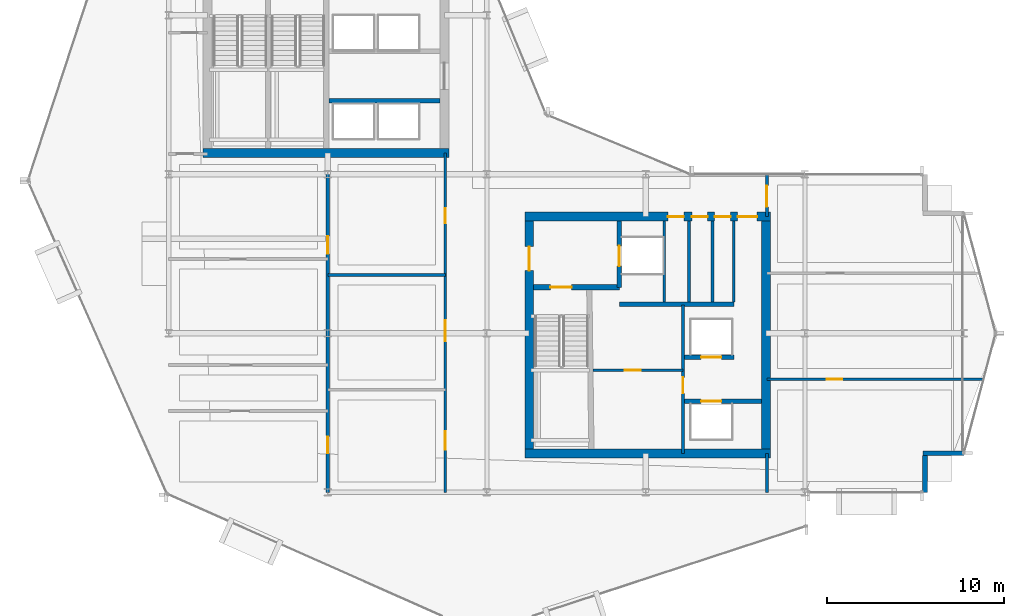
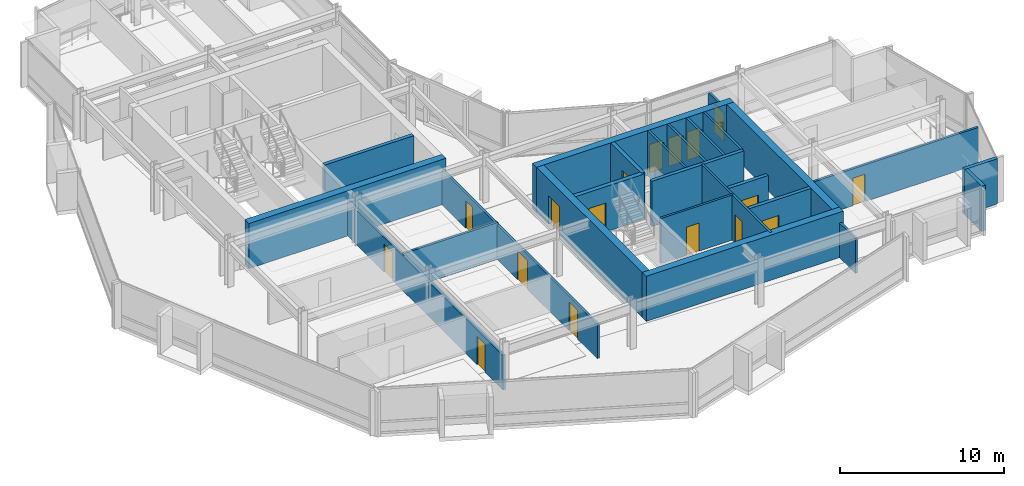
# One storey, part 22 of 29: 25 walls, 18 doors, 18 openings.
"""IFC4 building model written with IfcOpenShell, lengths in metres."""

from ifc_helpers import new_model, si_unit, direction, frame, frame_2d, origin, place, context, subcontext, project, spatial, rectangle, extrude, material, layer, layer_set, type_object, element, fill, save


model = new_model("IFC4")

# Units and contexts
model_context = context("Model", 3, precision=1e-05, world=origin(), true_north=direction((0.0, 1.0)))
body_context = subcontext(model_context, "Body", "Model", "MODEL_VIEW")
ifc_project = project(units=[si_unit("LENGTHUNIT", "METRE"), si_unit("AREAUNIT", "SQUARE_METRE"), si_unit("VOLUMEUNIT", "CUBIC_METRE"), si_unit("PLANEANGLEUNIT", "RADIAN"), si_unit("MASSUNIT", "GRAM", prefix="KILO")], contexts=[model_context])

# Site, building, storey
site_placement = place(None, origin())
site = spatial("IfcSite", under=ifc_project, at=site_placement, CompositionType="ELEMENT")
building_placement = place(site_placement, origin())
building = spatial("IfcBuilding", under=site, at=building_placement, Name="Solvaryn Broadcast Tower", CompositionType="ELEMENT")
storey_placement = place(building_placement, frame((0.0, 0.0, 165.5)))
storey = spatial("IfcBuildingStorey", under=building, at=storey_placement, Name="L41", CompositionType="ELEMENT", Elevation=165.5)

# Walls
ifc_material_1 = material(Name="Concrete f'c 70 MPa", Category="concrete")
ifc_layer_1 = layer(ifc_material_1, 0.5)
ifc_layer_set_1 = layer_set([ifc_layer_1], Name="CW-SHEAR-500")
wall_type_1 = type_object("IfcWallType", Name="CW-SHEAR-500", PredefinedType="SHEAR", material=ifc_layer_set_1)
for number, where, z_axis, x_axis, name in (
    (1, (10.949951171875, 28.199951171875, 0.0), (0.0, 0.0, 1.0), (1.0, 0.0, 0.0), "L41 West Core South Shear Wall"),
    (2, (29.14990234375, 11.199951171875, 0.0), (0.0, 0.0, 1.0), (1.0, 0.0, 0.0), "L41 East Core South Shear Wall"),
):
    element("IfcWall", number, at=place(storey_placement, frame(where, z_axis=z_axis, x_axis=x_axis)), inside=storey, type_object=wall_type_1, Name=name, PredefinedType="SHEAR", context=body_context, shape_type="SweptSolid", body=[
        extrude(rectangle(XDim=13.900146484375, YDim=0.5, at=frame_2d((6.9501953125, 0.0))), origin(), (0.0, 0.0, 1.0), 3.3701171875),
    ])

# Wall, openings, doors
wall_1_placement = place(storey_placement, frame((43.050048828125, 24.60009765625, 0.0), z_axis=(0.0, 0.0, 1.0), x_axis=(-1.0, 0.0, 0.0)))
wall_1 = element("IfcWall", 3, at=wall_1_placement, inside=storey, type_object=wall_type_1, Name="L41 East Core North Shear Wall", PredefinedType="SHEAR", context=body_context, shape_type="SweptSolid", body=[
    extrude(rectangle(XDim=13.900146484375, YDim=0.5, at=frame_2d((6.9501953125, 0.0))), origin(), (0.0, 0.0, 1.0), 3.3701171875),
])
opening_1_placement = place(wall_1_placement, frame((0.75, 0.0, 0.0)))
opening_1 = element("IfcOpeningElement", 4, at=opening_1_placement, cuts=wall_1, Name="Opening FD90C", PredefinedType="OPENING", context=body_context, shape_type="SweptSolid", body=[
    extrude(rectangle(XDim=1.10009765625, YDim=2.14990234375, at=frame_2d((0.550048828125, 1.074951171875))), frame((0.0, 0.260009765625, 0.0), z_axis=(0.0, -1.0, 0.0), x_axis=(1.0, 0.0, 0.0)), (0.0, 0.0, 1.0), 0.52001953125),
])
opening_2_placement = place(wall_1_placement, frame((2.25, 0.0, 0.0)))
opening_2 = element("IfcOpeningElement", 5, at=opening_2_placement, cuts=wall_1, Name="Opening FD60C", PredefinedType="OPENING", context=body_context, shape_type="SweptSolid", body=[
    extrude(rectangle(XDim=0.89990234375, YDim=2.10009765625, at=frame_2d((0.449951171875, 1.050048828125))), frame((0.0, 0.260009765625, 0.0), z_axis=(0.0, -1.0, 0.0), x_axis=(1.0, 0.0, 0.0)), (0.0, 0.0, 1.0), 0.52001953125),
])
opening_3_placement = place(wall_1_placement, frame((3.550048828125, 0.0, 0.0)))
opening_3 = element("IfcOpeningElement", 6, at=opening_3_placement, cuts=wall_1, Name="Opening FD60C", PredefinedType="OPENING", context=body_context, shape_type="SweptSolid", body=[
    extrude(rectangle(XDim=0.89990234375, YDim=2.10009765625, at=frame_2d((0.449951171875, 1.050048828125))), frame((0.0, 0.260009765625, 0.0), z_axis=(0.0, -1.0, 0.0), x_axis=(1.0, 0.0, 0.0)), (0.0, 0.0, 1.0), 0.52001953125),
])
opening_4_placement = place(wall_1_placement, frame((4.89990234375, 0.0, 0.0)))
opening_4 = element("IfcOpeningElement", 7, at=opening_4_placement, cuts=wall_1, Name="Opening FD60C", PredefinedType="OPENING", context=body_context, shape_type="SweptSolid", body=[
    extrude(rectangle(XDim=0.89990234375, YDim=2.10009765625, at=frame_2d((0.449951171875, 1.050048828125))), frame((0.0, 0.260009765625, 0.0), z_axis=(0.0, -1.0, 0.0), x_axis=(1.0, 0.0, 0.0)), (0.0, 0.0, 1.0), 0.52001953125),
])
ifc_material_2 = material(Name="Flush Acoustic Steel and Timber Door Assembly", Category="steel")
door_type_1 = type_object("IfcDoorType", Name="FD60-SERV-900X2100", OperationType="NOTDEFINED", PredefinedType="DOOR", material=ifc_material_2)
door_1_placement = place(opening_2_placement, origin())
door_1 = element("IfcDoor", 8, at=door_1_placement, inside=storey, type_object=door_type_1, Name="L41 Core Wellness Room Door", OperationType="SINGLE_SWING_RIGHT", OverallHeight=2.10009765625, OverallWidth=0.89990234375, PredefinedType="DOOR", context=body_context, shape_type="SweptSolid", body=[
    extrude(rectangle(XDim=0.89990234375, YDim=2.10009765625, at=frame_2d((0.449951171875, 1.050048828125))), frame((0.0, 0.02490234375, 0.0), z_axis=(0.0, -1.0, 0.0), x_axis=(1.0, 0.0, 0.0)), (0.0, 0.0, 1.0), 0.050048828125),
])
fill(opening_2, door_1)
door_2_placement = place(opening_3_placement, origin())
door_2 = element("IfcDoor", 9, at=door_2_placement, inside=storey, type_object=door_type_1, Name="L41 Staff Restroom Door", OperationType="SINGLE_SWING_LEFT", OverallHeight=2.10009765625, OverallWidth=0.89990234375, PredefinedType="DOOR", context=body_context, shape_type="SweptSolid", body=[
    extrude(rectangle(XDim=0.89990234375, YDim=2.10009765625, at=frame_2d((0.449951171875, 1.050048828125))), frame((0.0, 0.02490234375, 0.0), z_axis=(0.0, -1.0, 0.0), x_axis=(1.0, 0.0, 0.0)), (0.0, 0.0, 1.0), 0.050048828125),
])
fill(opening_3, door_2)
door_3_placement = place(opening_4_placement, origin())
door_3 = element("IfcDoor", 10, at=door_3_placement, inside=storey, type_object=door_type_1, Name="L41 Accessible WC Door", OperationType="SINGLE_SWING_RIGHT", OverallHeight=2.10009765625, OverallWidth=0.89990234375, PredefinedType="DOOR", context=body_context, shape_type="SweptSolid", body=[
    extrude(rectangle(XDim=0.89990234375, YDim=2.10009765625, at=frame_2d((0.449951171875, 1.050048828125))), frame((0.0, 0.02490234375, 0.0), z_axis=(0.0, -1.0, 0.0), x_axis=(1.0, 0.0, 0.0)), (0.0, 0.0, 1.0), 0.050048828125),
])
fill(opening_4, door_3)
ifc_material_3 = material(Name="Flush Acoustic Steel and Timber Door Assembly", Category="steel")
door_type_2 = type_object("IfcDoorType", Name="FD90-PLANT-1100X2150", OperationType="NOTDEFINED", PredefinedType="DOOR", material=ifc_material_3)
door_4_placement = place(opening_1_placement, origin())
door_4 = element("IfcDoor", 11, at=door_4_placement, inside=storey, type_object=door_type_2, Name="L41 East Core Lobby Corridor Door", OperationType="SINGLE_SWING_LEFT", OverallHeight=2.14990234375, OverallWidth=1.10009765625, PredefinedType="DOOR", context=body_context, shape_type="SweptSolid", body=[
    extrude(rectangle(XDim=1.10009765625, YDim=2.14990234375, at=frame_2d((0.550048828125, 1.074951171875))), frame((0.0, 0.02490234375, 0.0), z_axis=(0.0, -1.0, 0.0), x_axis=(1.0, 0.0, 0.0)), (0.0, 0.0, 1.0), 0.050048828125),
])
fill(opening_1, door_4)

# Wall, opening, door
wall_2_placement = place(storey_placement, frame((29.39990234375, 24.35009765625, 0.0), z_axis=(0.0, 0.0, 1.0), x_axis=(0.0, -1.0, 0.0)))
wall_2 = element("IfcWall", 12, at=wall_2_placement, inside=storey, type_object=wall_type_1, Name="L41 East Core West Shear Wall", PredefinedType="SHEAR", context=body_context, shape_type="SweptSolid", body=[
    extrude(rectangle(XDim=12.900146484375, YDim=0.5, at=frame_2d((6.4501953125, 0.0))), origin(), (0.0, 0.0, 1.0), 3.3701171875),
])
opening_5_placement = place(wall_2_placement, frame((1.449951171875, 0.0, 0.0)))
opening_5 = element("IfcOpeningElement", 13, at=opening_5_placement, cuts=wall_2, Name="Opening FD90B", PredefinedType="OPENING", context=body_context, shape_type="SweptSolid", body=[
    extrude(rectangle(XDim=1.35009765625, YDim=2.14990234375, at=frame_2d((0.675048828125, 1.074951171875))), frame((0.0, 0.260009765625, 0.0), z_axis=(0.0, -1.0, 0.0), x_axis=(1.0, 0.0, 0.0)), (0.0, 0.0, 1.0), 0.52001953125),
])
ifc_material_4 = material(Name="Flush Acoustic Steel and Timber Door Assembly", Category="steel")
door_type_3 = type_object("IfcDoorType", Name="FD90-LOBBY-1350X2150", OperationType="NOTDEFINED", PredefinedType="DOOR", material=ifc_material_4)
door_5_placement = place(opening_5_placement, origin())
door_5 = element("IfcDoor", 14, at=door_5_placement, inside=storey, type_object=door_type_3, Name="L41 East FSAE Lobby Door", OperationType="SINGLE_SWING_RIGHT", OverallHeight=2.14990234375, OverallWidth=1.35009765625, PredefinedType="DOOR", context=body_context, shape_type="SweptSolid", body=[
    extrude(rectangle(XDim=1.35009765625, YDim=2.14990234375, at=frame_2d((0.675048828125, 1.074951171875))), frame((0.0, 0.02490234375, 0.0), z_axis=(0.0, -1.0, 0.0), x_axis=(1.0, 0.0, 0.0)), (0.0, 0.0, 1.0), 0.050048828125),
])
fill(opening_5, door_5)

# Walls
wall_3_placement = place(storey_placement, frame((42.800048828125, 11.449951171875, 0.0), z_axis=(0.0, 0.0, 1.0), x_axis=(0.0, 1.0, 0.0)))
element("IfcWall", 15, at=wall_3_placement, inside=storey, type_object=wall_type_1, Name="L41 East Core East Shear Wall", PredefinedType="SHEAR", context=body_context, shape_type="SweptSolid", body=[
    extrude(rectangle(XDim=12.900146484375, YDim=0.5, at=frame_2d((6.4501953125, 0.0))), origin(), (0.0, 0.0, 1.0), 3.3701171875),
])
ifc_material_5 = material(Name="Concrete f'c 50 MPa", Category="concrete")
ifc_layer_2 = layer(ifc_material_5, 0.260009765625)
ifc_layer_set_2 = layer_set([ifc_layer_2], Name="EW-PIER-260")
wall_type_2 = type_object("IfcWallType", Name="EW-PIER-260", PredefinedType="SOLIDWALL", material=ifc_layer_set_2)
wall_4_placement = place(storey_placement, frame((51.800048828125, 9.0, 0.0), z_axis=(0.0, 0.0, 1.0), x_axis=(0.0, 1.0, 0.0)))
element("IfcWall", 16, at=wall_4_placement, inside=storey, type_object=wall_type_2, Name="L41 Notched Corner Pier Wall NSE1", PredefinedType="SOLIDWALL", context=body_context, shape_type="SweptSolid", body=[
    extrude(rectangle(XDim=2.080078125, YDim=0.260009765625, at=frame_2d((1.0400390625, 0.0))), origin(), (0.0, 0.0, 1.0), 3.3701171875),
])
wall_5_placement = place(storey_placement, frame((51.679931640625, 11.199951171875, 0.0), z_axis=(0.0, 0.0, 1.0), x_axis=(1.0, 0.0, 0.0)))
element("IfcWall", 17, at=wall_5_placement, inside=storey, type_object=wall_type_2, Name="L41 Notched Corner Pier Wall NSE2", PredefinedType="SOLIDWALL", context=body_context, shape_type="SweptSolid", body=[
    extrude(rectangle(XDim=2.320068359375, YDim=0.260009765625, at=frame_2d((1.16015625, 0.0))), origin(), (0.0, 0.0, 1.0), 3.3701171875),
])

# Wall, opening, door
ifc_material_6 = material(Name="Metal-Stud Service Core Partition")
ifc_layer_3 = layer(ifc_material_6, 0.14990234375)
ifc_layer_set_3 = layer_set([ifc_layer_3], Name="IW-PART-150")
wall_type_3 = type_object("IfcWallType", Name="IW-PART-150", PredefinedType="PARTITIONING", material=ifc_layer_set_3)
wall_6_placement = place(storey_placement, frame((33.0, 15.89990234375, 0.0), z_axis=(0.0, 0.0, 1.0), x_axis=(1.0, 0.0, 0.0)))
wall_6 = element("IfcWall", 18, at=wall_6_placement, inside=storey, type_object=wall_type_3, Name="L41 Interior Partition IW-L41-RPL-H", PredefinedType="PARTITIONING", context=body_context, shape_type="SweptSolid", body=[
    extrude(rectangle(XDim=5.10009765625, YDim=0.14990234375, at=frame_2d((2.550048828125, 0.0))), origin(), (0.0, 0.0, 1.0), 3.3701171875),
])
opening_6_placement = place(wall_6_placement, frame((1.800048828125, 0.0, 0.0)))
opening_6 = element("IfcOpeningElement", 19, at=opening_6_placement, cuts=wall_6, Name="Opening FD60C", PredefinedType="OPENING", context=body_context, shape_type="SweptSolid", body=[
    extrude(rectangle(XDim=0.89990234375, YDim=2.10009765625, at=frame_2d((0.449951171875, 1.050048828125))), frame((0.0, 0.0849609375, 0.0), z_axis=(0.0, -1.0, 0.0), x_axis=(1.0, 0.0, 0.0)), (0.0, 0.0, 1.0), 0.169921875),
])
door_6_placement = place(opening_6_placement, origin())
door_6 = element("IfcDoor", 20, at=door_6_placement, inside=storey, type_object=door_type_1, Name="L41 Door DR-L41-RPL1", OperationType="SINGLE_SWING_LEFT", OverallHeight=2.10009765625, OverallWidth=0.89990234375, PredefinedType="DOOR", context=body_context, shape_type="SweptSolid", body=[
    extrude(rectangle(XDim=0.89990234375, YDim=2.10009765625, at=frame_2d((0.449951171875, 1.050048828125))), frame((0.0, 0.02490234375, 0.0), z_axis=(0.0, -1.0, 0.0), x_axis=(1.0, 0.0, 0.0)), (0.0, 0.0, 1.0), 0.050048828125),
])
fill(opening_6, door_6)

wall_7_placement = place(storey_placement, frame((38.10009765625, 11.199951171875, 0.0), z_axis=(0.0, 0.0, 1.0), x_axis=(0.0, 1.0, 0.0)))
wall_7 = element("IfcWall", 21, at=wall_7_placement, inside=storey, type_object=wall_type_3, Name="L41 Interior Partition IW-L41-RPL-E", PredefinedType="PARTITIONING", context=body_context, shape_type="SweptSolid", body=[
    extrude(rectangle(XDim=8.400146484375, YDim=0.14990234375, at=frame_2d((4.2001953125, 0.0))), origin(), (0.0, 0.0, 1.0), 3.3701171875),
])
opening_7_placement = place(wall_7_placement, frame((3.39990234375, 0.0, 0.0)))
opening_7 = element("IfcOpeningElement", 22, at=opening_7_placement, cuts=wall_7, Name="Opening FD60C", PredefinedType="OPENING", context=body_context, shape_type="SweptSolid", body=[
    extrude(rectangle(XDim=0.89990234375, YDim=2.10009765625, at=frame_2d((0.449951171875, 1.050048828125))), frame((0.0, 0.0849609375, 0.0), z_axis=(0.0, -1.0, 0.0), x_axis=(1.0, 0.0, 0.0)), (0.0, 0.0, 1.0), 0.169921875),
])
door_7_placement = place(opening_7_placement, origin())
door_7 = element("IfcDoor", 23, at=door_7_placement, inside=storey, type_object=door_type_1, Name="L41 Door DR-L41-RPL2", OperationType="SINGLE_SWING_RIGHT", OverallHeight=2.10009765625, OverallWidth=0.89990234375, PredefinedType="DOOR", context=body_context, shape_type="SweptSolid", body=[
    extrude(rectangle(XDim=0.89990234375, YDim=2.10009765625, at=frame_2d((0.449951171875, 1.050048828125))), frame((0.0, 0.02490234375, 0.0), z_axis=(0.0, -1.0, 0.0), x_axis=(1.0, 0.0, 0.0)), (0.0, 0.0, 1.0), 0.050048828125),
])
fill(opening_7, door_7)

# Walls
for number, where, z_axis, x_axis, name in (
    (24, (37.050048828125, 19.780029296875, 0.0), (0.0, 0.0, 1.0), (0.0, 1.0, 0.0), "L41 Interior Partition IW-L41-CE-FL2E"),
    (25, (38.43994140625, 19.780029296875, 0.0), (0.0, 0.0, 1.0), (0.0, 1.0, 0.0), "L41 Interior Partition IW-L41-CE-V1"),
    (26, (39.77001953125, 19.780029296875, 0.0), (0.0, 0.0, 1.0), (0.0, 1.0, 0.0), "L41 Interior Partition IW-L41-CE-V2"),
    (27, (40.97998046875, 19.780029296875, 0.0), (0.0, 0.0, 1.0), (0.0, 1.0, 0.0), "L41 Interior Partition IW-L41-CE-V3"),
):
    element("IfcWall", number, at=place(storey_placement, frame(where, z_axis=z_axis, x_axis=x_axis)), inside=storey, type_object=wall_type_3, Name=name, PredefinedType="PARTITIONING", context=body_context, shape_type="SweptSolid", body=[
        extrude(rectangle(XDim=4.570068359375, YDim=0.14990234375, at=frame_2d((2.28515625, 0.0))), origin(), (0.0, 0.0, 1.0), 3.3701171875),
    ])

# Wall, openings, doors
ifc_material_7 = material(Name="Metal-Stud Gypsum Office Partition")
ifc_layer_4 = layer(ifc_material_7, 0.159912109375)
ifc_layer_set_4 = layer_set([ifc_layer_4], Name="IW-PART-160")
wall_type_4 = type_object("IfcWallType", Name="IW-PART-160", PredefinedType="PARTITIONING", material=ifc_layer_set_4)
wall_8_placement = place(storey_placement, frame((24.64990234375, 9.0, 0.0), z_axis=(0.0, 0.0, 1.0), x_axis=(0.0, 1.0, 0.0)))
wall_8 = element("IfcWall", 28, at=wall_8_placement, inside=storey, type_object=wall_type_4, Name="L41 Interior Partition IW-L41-SW-EB", PredefinedType="PARTITIONING", context=body_context, shape_type="SweptSolid", body=[
    extrude(rectangle(XDim=19.199951171875, YDim=0.159912109375, at=frame_2d((9.60009765625, 0.0))), origin(), (0.0, 0.0, 1.0), 2.583984375),
])
opening_8_placement = place(wall_8_placement, frame((2.39990234375, 0.0, 0.0)))
opening_8 = element("IfcOpeningElement", 29, at=opening_8_placement, cuts=wall_8, Name="Opening ID03", PredefinedType="OPENING", context=body_context, shape_type="SweptSolid", body=[
    extrude(rectangle(XDim=1.050048828125, YDim=2.14990234375, at=frame_2d((0.52490234375, 1.074951171875))), frame((0.0, 0.090087890625, 0.0), z_axis=(0.0, -1.0, 0.0), x_axis=(1.0, 0.0, 0.0)), (0.0, 0.0, 1.0), 0.179931640625),
])
opening_9_placement = place(wall_8_placement, frame((8.550048828125, 0.0, 0.0)))
opening_9 = element("IfcOpeningElement", 30, at=opening_9_placement, cuts=wall_8, Name="Opening ID04", PredefinedType="OPENING", context=body_context, shape_type="SweptSolid", body=[
    extrude(rectangle(XDim=1.199951171875, YDim=2.14990234375, at=frame_2d((0.60009765625, 1.074951171875))), frame((0.0, 0.090087890625, 0.0), z_axis=(0.0, -1.0, 0.0), x_axis=(1.0, 0.0, 0.0)), (0.0, 0.0, 1.0), 0.179931640625),
])
opening_10_placement = place(wall_8_placement, frame((15.215087890625, 0.0, 0.0)))
opening_10 = element("IfcOpeningElement", 31, at=opening_10_placement, cuts=wall_8, Name="Opening ID07", PredefinedType="OPENING", context=body_context, shape_type="SweptSolid", body=[
    extrude(rectangle(XDim=0.860107421875, YDim=2.050048828125, at=frame_2d((0.43017578125, 1.02490234375))), frame((0.0, 0.090087890625, 0.0), z_axis=(0.0, -1.0, 0.0), x_axis=(1.0, 0.0, 0.0)), (0.0, 0.0, 1.0), 0.179931640625),
])
ifc_material_8 = material(Name="Flush Acoustic Steel and Timber Door Assembly", Category="steel")
door_type_4 = type_object("IfcDoorType", Name="ID-03-1050X2150", OperationType="NOTDEFINED", PredefinedType="DOOR", material=ifc_material_8)
door_8_placement = place(opening_8_placement, origin())
door_8 = element("IfcDoor", 32, at=door_8_placement, inside=storey, type_object=door_type_4, Name="L41 Door DR-L41-SWE-1", OperationType="SINGLE_SWING_RIGHT", OverallHeight=2.14990234375, OverallWidth=1.050048828125, PredefinedType="DOOR", context=body_context, shape_type="SweptSolid", body=[
    extrude(rectangle(XDim=1.050048828125, YDim=2.14990234375, at=frame_2d((0.52490234375, 1.074951171875))), frame((0.0, 0.02490234375, 0.0), z_axis=(0.0, -1.0, 0.0), x_axis=(1.0, 0.0, 0.0)), (0.0, 0.0, 1.0), 0.050048828125),
])
fill(opening_8, door_8)
ifc_material_9 = material(Name="Flush Acoustic Steel and Timber Door Assembly", Category="steel")
door_type_5 = type_object("IfcDoorType", Name="ID-04-1200X2150", OperationType="NOTDEFINED", PredefinedType="DOOR", material=ifc_material_9)
door_9_placement = place(opening_9_placement, origin())
door_9 = element("IfcDoor", 33, at=door_9_placement, inside=storey, type_object=door_type_5, Name="L41 Door DR-L41-SWE-2", OperationType="SINGLE_SWING_LEFT", OverallHeight=2.14990234375, OverallWidth=1.199951171875, PredefinedType="DOOR", context=body_context, shape_type="SweptSolid", body=[
    extrude(rectangle(XDim=1.199951171875, YDim=2.14990234375, at=frame_2d((0.60009765625, 1.074951171875))), frame((0.0, 0.02490234375, 0.0), z_axis=(0.0, -1.0, 0.0), x_axis=(1.0, 0.0, 0.0)), (0.0, 0.0, 1.0), 0.050048828125),
])
fill(opening_9, door_9)
ifc_material_10 = material(Name="Flush Acoustic Steel and Timber Door Assembly", Category="steel")
door_type_6 = type_object("IfcDoorType", Name="ID-07-860X2050", OperationType="NOTDEFINED", PredefinedType="DOOR", material=ifc_material_10)
door_10_placement = place(opening_10_placement, origin())
door_10 = element("IfcDoor", 34, at=door_10_placement, inside=storey, type_object=door_type_6, Name="L41 Door DR-L41-SWE-3", OperationType="SINGLE_SWING_RIGHT", OverallHeight=2.050048828125, OverallWidth=0.860107421875, PredefinedType="DOOR", context=body_context, shape_type="SweptSolid", body=[
    extrude(rectangle(XDim=0.860107421875, YDim=2.050048828125, at=frame_2d((0.43017578125, 1.02490234375))), frame((0.0, 0.02490234375, 0.0), z_axis=(0.0, -1.0, 0.0), x_axis=(1.0, 0.0, 0.0)), (0.0, 0.0, 1.0), 0.050048828125),
])
fill(opening_10, door_10)

# Walls
wall_9_placement = place(storey_placement, frame((18.0, 21.300048828125, 0.0), z_axis=(0.0, 0.0, 1.0), x_axis=(1.0, 0.0, 0.0)))
element("IfcWall", 35, at=wall_9_placement, inside=storey, type_object=wall_type_4, Name="L41 Interior Partition IW-L41-SWE-H2", PredefinedType="PARTITIONING", context=body_context, shape_type="SweptSolid", body=[
    extrude(rectangle(XDim=6.64990234375, YDim=0.159912109375, at=frame_2d((3.324951171875, 0.0))), origin(), (0.0, 0.0, 1.0), 2.741943359375),
])
wall_10_placement = place(storey_placement, frame((42.85009765625, 9.0, 0.0), z_axis=(0.0, 0.0, 1.0), x_axis=(0.0, 1.0, 0.0)))
element("IfcWall", 36, at=wall_10_placement, inside=storey, type_object=wall_type_4, Name="L41 Interior Partition IW-L41-SC-E", PredefinedType="PARTITIONING", context=body_context, shape_type="SweptSolid", body=[
    extrude(rectangle(XDim=2.199951171875, YDim=0.159912109375, at=frame_2d((1.10009765625, 0.0))), origin(), (0.0, 0.0, 1.0), 2.583984375),
])

# Wall, opening, door
wall_11_placement = place(storey_placement, frame((42.85009765625, 24.60009765625, 0.0), z_axis=(0.0, 0.0, 1.0), x_axis=(0.0, 1.0, 0.0)))
wall_11 = element("IfcWall", 37, at=wall_11_placement, inside=storey, type_object=wall_type_4, Name="L41 Interior Partition IW-L41-EW-BN", PredefinedType="PARTITIONING", context=body_context, shape_type="SweptSolid", body=[
    extrude(rectangle(XDim=2.39990234375, YDim=0.159912109375, at=frame_2d((1.199951171875, 0.0))), origin(), (0.0, 0.0, 1.0), 2.583984375),
])
opening_11_placement = place(wall_11_placement, frame((0.550048828125, 0.0, 0.0)))
opening_11 = element("IfcOpeningElement", 38, at=opening_11_placement, cuts=wall_11, Name="Opening ID04", PredefinedType="OPENING", context=body_context, shape_type="SweptSolid", body=[
    extrude(rectangle(XDim=1.199951171875, YDim=2.14990234375, at=frame_2d((0.60009765625, 1.074951171875))), frame((0.0, 0.090087890625, 0.0), z_axis=(0.0, -1.0, 0.0), x_axis=(1.0, 0.0, 0.0)), (0.0, 0.0, 1.0), 0.179931640625),
])
door_11_placement = place(opening_11_placement, origin())
door_11 = element("IfcDoor", 39, at=door_11_placement, inside=storey, type_object=door_type_5, Name="L41 Door DR-L41-EW0", OperationType="SINGLE_SWING_LEFT", OverallHeight=2.14990234375, OverallWidth=1.199951171875, PredefinedType="DOOR", context=body_context, shape_type="SweptSolid", body=[
    extrude(rectangle(XDim=1.199951171875, YDim=2.14990234375, at=frame_2d((0.60009765625, 1.074951171875))), frame((0.0, 0.02490234375, 0.0), z_axis=(0.0, -1.0, 0.0), x_axis=(1.0, 0.0, 0.0)), (0.0, 0.0, 1.0), 0.050048828125),
])
fill(opening_11, door_11)

wall_12_placement = place(storey_placement, frame((42.85009765625, 15.39990234375, 0.0), z_axis=(0.0, 0.0, 1.0), x_axis=(1.0, 0.0, 0.0)))
wall_12 = element("IfcWall", 40, at=wall_12_placement, inside=storey, type_object=wall_type_4, Name="L41 Interior Partition IW-L41-EW-H1", PredefinedType="PARTITIONING", context=body_context, shape_type="SweptSolid", body=[
    extrude(rectangle(XDim=12.261962890625, YDim=0.159912109375, at=frame_2d((6.130859375, 0.0))), origin(), (0.0, 0.0, 1.0), 2.741943359375),
])
opening_12_placement = place(wall_12_placement, frame((3.39990234375, 0.0, 0.0)))
opening_12 = element("IfcOpeningElement", 41, at=opening_12_placement, cuts=wall_12, Name="Opening ID07", PredefinedType="OPENING", context=body_context, shape_type="SweptSolid", body=[
    extrude(rectangle(XDim=0.860107421875, YDim=2.050048828125, at=frame_2d((0.43017578125, 1.02490234375))), frame((0.0, 0.090087890625, 0.0), z_axis=(0.0, -1.0, 0.0), x_axis=(1.0, 0.0, 0.0)), (0.0, 0.0, 1.0), 0.179931640625),
])
door_12_placement = place(opening_12_placement, origin())
door_12 = element("IfcDoor", 42, at=door_12_placement, inside=storey, type_object=door_type_6, Name="L41 Door DR-L41-EW-1", OperationType="SINGLE_SWING_RIGHT", OverallHeight=2.050048828125, OverallWidth=0.860107421875, PredefinedType="DOOR", context=body_context, shape_type="SweptSolid", body=[
    extrude(rectangle(XDim=0.860107421875, YDim=2.050048828125, at=frame_2d((0.43017578125, 1.02490234375))), frame((0.0, 0.02490234375, 0.0), z_axis=(0.0, -1.0, 0.0), x_axis=(1.0, 0.0, 0.0)), (0.0, 0.0, 1.0), 0.050048828125),
])
fill(opening_12, door_12)

# Wall, openings, doors
ifc_material_11 = material(Name="Acoustic Metal-Stud Gypsum Partition")
ifc_layer_5 = layer(ifc_material_11, 0.179931640625)
ifc_layer_set_5 = layer_set([ifc_layer_5], Name="IW-PART-180")
wall_type_5 = type_object("IfcWallType", Name="IW-PART-180", PredefinedType="PARTITIONING", material=ifc_layer_set_5)
wall_13_placement = place(storey_placement, frame((18.0, 9.0, 0.0), z_axis=(0.0, 0.0, 1.0), x_axis=(0.0, 1.0, 0.0)))
wall_13 = element("IfcWall", 43, at=wall_13_placement, inside=storey, type_object=wall_type_5, Name="L41 Interior Partition IW-L41-SW-VX", PredefinedType="PARTITIONING", context=body_context, shape_type="SweptSolid", body=[
    extrude(rectangle(XDim=19.1298828125, YDim=0.179931640625, at=frame_2d((9.56494140625, 0.0))), origin(), (0.0, 0.0, 1.0), 2.583984375),
])
opening_13_placement = place(wall_13_placement, frame((2.199951171875, 0.0, 0.0)))
opening_13 = element("IfcOpeningElement", 44, at=opening_13_placement, cuts=wall_13, Name="Opening ID01", PredefinedType="OPENING", context=body_context, shape_type="SweptSolid", body=[
    extrude(rectangle(XDim=0.949951171875, YDim=2.10009765625, at=frame_2d((0.47509765625, 1.050048828125))), frame((0.0, 0.099853515625, 0.0), z_axis=(0.0, -1.0, 0.0), x_axis=(1.0, 0.0, 0.0)), (0.0, 0.0, 1.0), 0.199951171875),
])
opening_14_placement = place(wall_13_placement, frame((13.5, 0.0, 0.0)))
opening_14 = element("IfcOpeningElement", 45, at=opening_14_placement, cuts=wall_13, Name="Opening ID02", PredefinedType="OPENING", context=body_context, shape_type="SweptSolid", body=[
    extrude(rectangle(XDim=1.0, YDim=2.10009765625, at=frame_2d((0.5, 1.050048828125))), frame((0.0, 0.099853515625, 0.0), z_axis=(0.0, -1.0, 0.0), x_axis=(1.0, 0.0, 0.0)), (0.0, 0.0, 1.0), 0.199951171875),
])
ifc_material_12 = material(Name="Flush Acoustic Steel and Timber Door Assembly", Category="steel")
door_type_7 = type_object("IfcDoorType", Name="ID-01-950X2100", OperationType="NOTDEFINED", PredefinedType="DOOR", material=ifc_material_12)
door_13_placement = place(opening_13_placement, origin())
door_13 = element("IfcDoor", 46, at=door_13_placement, inside=storey, type_object=door_type_7, Name="L41 Door DR-L41-SWW-X1", OperationType="SINGLE_SWING_LEFT", OverallHeight=2.10009765625, OverallWidth=0.949951171875, PredefinedType="DOOR", context=body_context, shape_type="SweptSolid", body=[
    extrude(rectangle(XDim=0.949951171875, YDim=2.10009765625, at=frame_2d((0.47509765625, 1.050048828125))), frame((0.0, 0.02490234375, 0.0), z_axis=(0.0, -1.0, 0.0), x_axis=(1.0, 0.0, 0.0)), (0.0, 0.0, 1.0), 0.050048828125),
])
fill(opening_13, door_13)
ifc_material_13 = material(Name="Flush Acoustic Steel and Timber Door Assembly", Category="steel")
door_type_8 = type_object("IfcDoorType", Name="ID-02-1000X2100", OperationType="NOTDEFINED", PredefinedType="DOOR", material=ifc_material_13)
door_14_placement = place(opening_14_placement, origin())
door_14 = element("IfcDoor", 47, at=door_14_placement, inside=storey, type_object=door_type_8, Name="L41 Door DR-L41-SWW-X2", OperationType="SINGLE_SWING_RIGHT", OverallHeight=2.10009765625, OverallWidth=1.0, PredefinedType="DOOR", context=body_context, shape_type="SweptSolid", body=[
    extrude(rectangle(XDim=1.0, YDim=2.10009765625, at=frame_2d((0.5, 1.050048828125))), frame((0.0, 0.02490234375, 0.0), z_axis=(0.0, -1.0, 0.0), x_axis=(1.0, 0.0, 0.0)), (0.0, 0.0, 1.0), 0.050048828125),
])
fill(opening_14, door_14)

# Wall
ifc_material_14 = material(Name="Concrete f'c 60 MPa", Category="concrete")
ifc_layer_6 = layer(ifc_material_14, 0.25)
ifc_layer_set_6 = layer_set([ifc_layer_6], Name="SW-SHAFT-250")
wall_type_6 = type_object("IfcWallType", Name="SW-SHAFT-250", PredefinedType="PARTITIONING", material=ifc_layer_set_6)
wall_14_placement = place(storey_placement, frame((18.070068359375, 31.14990234375, 0.0), z_axis=(0.0, 0.0, 1.0), x_axis=(1.0, 0.0, 0.0)))
element("IfcWall", 48, at=wall_14_placement, inside=storey, type_object=wall_type_6, Name="L41 High-Rise Lift Bank South Wall", PredefinedType="PARTITIONING", context=body_context, shape_type="SweptSolid", body=[
    extrude(rectangle(XDim=6.280029296875, YDim=0.25, at=frame_2d((3.14013671875, 0.0))), origin(), (0.0, 0.0, 1.0), 3.3701171875),
])

# Wall, opening, door
wall_15_placement = place(storey_placement, frame((34.5, 20.60009765625, 0.0), z_axis=(0.0, 0.0, 1.0), x_axis=(0.0, 1.0, 0.0)))
wall_15 = element("IfcWall", 49, at=wall_15_placement, inside=storey, type_object=wall_type_6, Name="L41 East FSAE Lobby East Wall", PredefinedType="PARTITIONING", context=body_context, shape_type="SweptSolid", body=[
    extrude(rectangle(XDim=3.75, YDim=0.25, at=frame_2d((1.875, 0.0))), origin(), (0.0, 0.0, 1.0), 3.3701171875),
])
opening_15_placement = place(wall_15_placement, frame((1.199951171875, 0.0, 0.0)))
opening_15 = element("IfcOpeningElement", 50, at=opening_15_placement, cuts=wall_15, Name="Opening LD01", PredefinedType="OPENING", context=body_context, shape_type="SweptSolid", body=[
    extrude(rectangle(XDim=1.14990234375, YDim=2.14990234375, at=frame_2d((0.574951171875, 1.074951171875))), frame((0.0, 0.135009765625, 0.0), z_axis=(0.0, -1.0, 0.0), x_axis=(1.0, 0.0, 0.0)), (0.0, 0.0, 1.0), 0.27001953125),
])
ifc_material_15 = material(Name="Flush Acoustic Steel and Timber Door Assembly", Category="steel")
door_type_9 = type_object("IfcDoorType", Name="LD-LIFT-1150X2150", OperationType="NOTDEFINED", PredefinedType="DOOR", material=ifc_material_15)
door_15_placement = place(opening_15_placement, origin())
door_15 = element("IfcDoor", 51, at=door_15_placement, inside=storey, type_object=door_type_9, Name="L41 FL2 Lift Landing Door", OperationType="DOUBLE_DOOR_SLIDING", OverallHeight=2.14990234375, OverallWidth=1.14990234375, PredefinedType="DOOR", context=body_context, shape_type="SweptSolid", body=[
    extrude(rectangle(XDim=1.14990234375, YDim=2.14990234375, at=frame_2d((0.574951171875, 1.074951171875))), frame((0.0, 0.02490234375, 0.0), z_axis=(0.0, -1.0, 0.0), x_axis=(1.0, 0.0, 0.0)), (0.0, 0.0, 1.0), 0.050048828125),
])
fill(opening_15, door_15)

# Wall
wall_16_placement = place(storey_placement, frame((34.5, 19.64990234375, 0.0), z_axis=(0.0, 0.0, 1.0), x_axis=(1.0, 0.0, 0.0)))
element("IfcWall", 52, at=wall_16_placement, inside=storey, type_object=wall_type_6, Name="L41 East Core Restroom South Wall", PredefinedType="PARTITIONING", context=body_context, shape_type="SweptSolid", body=[
    extrude(rectangle(XDim=6.47998046875, YDim=0.25, at=frame_2d((3.239990234375, 0.0))), origin(), (0.0, 0.0, 1.0), 3.3701171875),
])

# Wall, opening, door
wall_17_placement = place(storey_placement, frame((38.199951171875, 14.14990234375, 0.0), z_axis=(0.0, 0.0, 1.0), x_axis=(1.0, 0.0, 0.0)))
wall_17 = element("IfcWall", 53, at=wall_17_placement, inside=storey, type_object=wall_type_6, Name="L41 East Lift Bank South Wall", PredefinedType="PARTITIONING", context=body_context, shape_type="SweptSolid", body=[
    extrude(rectangle(XDim=4.35009765625, YDim=0.25, at=frame_2d((2.175048828125, 0.0))), origin(), (0.0, 0.0, 1.0), 3.3701171875),
])
opening_16_placement = place(wall_17_placement, frame((0.925048828125, 0.0, 0.0)))
opening_16 = element("IfcOpeningElement", 54, at=opening_16_placement, cuts=wall_17, Name="Opening LD01", PredefinedType="OPENING", context=body_context, shape_type="SweptSolid", body=[
    extrude(rectangle(XDim=1.14990234375, YDim=2.14990234375, at=frame_2d((0.574951171875, 1.074951171875))), frame((0.0, 0.135009765625, 0.0), z_axis=(0.0, -1.0, 0.0), x_axis=(1.0, 0.0, 0.0)), (0.0, 0.0, 1.0), 0.27001953125),
])
door_16_placement = place(opening_16_placement, origin())
door_16 = element("IfcDoor", 55, at=door_16_placement, inside=storey, type_object=door_type_9, Name="L41 PM1 Lift Landing Door", OperationType="DOUBLE_DOOR_SLIDING", OverallHeight=2.14990234375, OverallWidth=1.14990234375, PredefinedType="DOOR", context=body_context, shape_type="SweptSolid", body=[
    extrude(rectangle(XDim=1.14990234375, YDim=2.14990234375, at=frame_2d((0.574951171875, 1.074951171875))), frame((0.0, 0.02490234375, 0.0), z_axis=(0.0, -1.0, 0.0), x_axis=(1.0, 0.0, 0.0)), (0.0, 0.0, 1.0), 0.050048828125),
])
fill(opening_16, door_16)

wall_18_placement = place(storey_placement, frame((40.97998046875, 16.64990234375, 0.0), z_axis=(0.0, 0.0, 1.0), x_axis=(-1.0, 0.0, 0.0)))
wall_18 = element("IfcWall", 56, at=wall_18_placement, inside=storey, type_object=wall_type_6, Name="L41 East Lift Bank North Wall", PredefinedType="PARTITIONING", context=body_context, shape_type="SweptSolid", body=[
    extrude(rectangle(XDim=2.780029296875, YDim=0.25, at=frame_2d((1.39013671875, 0.0))), origin(), (0.0, 0.0, 1.0), 3.3701171875),
])
opening_17_placement = place(wall_18_placement, frame((0.705078125, 0.0, 0.0)))
opening_17 = element("IfcOpeningElement", 57, at=opening_17_placement, cuts=wall_18, Name="Opening LD01", PredefinedType="OPENING", context=body_context, shape_type="SweptSolid", body=[
    extrude(rectangle(XDim=1.14990234375, YDim=2.14990234375, at=frame_2d((0.574951171875, 1.074951171875))), frame((0.0, 0.135009765625, 0.0), z_axis=(0.0, -1.0, 0.0), x_axis=(1.0, 0.0, 0.0)), (0.0, 0.0, 1.0), 0.27001953125),
])
door_17_placement = place(opening_17_placement, origin())
door_17 = element("IfcDoor", 58, at=door_17_placement, inside=storey, type_object=door_type_9, Name="L41 PM2 Lift Landing Door", OperationType="DOUBLE_DOOR_SLIDING", OverallHeight=2.14990234375, OverallWidth=1.14990234375, PredefinedType="DOOR", context=body_context, shape_type="SweptSolid", body=[
    extrude(rectangle(XDim=1.14990234375, YDim=2.14990234375, at=frame_2d((0.574951171875, 1.074951171875))), frame((0.0, 0.02490234375, 0.0), z_axis=(0.0, -1.0, 0.0), x_axis=(1.0, 0.0, 0.0)), (0.0, 0.0, 1.0), 0.050048828125),
])
fill(opening_17, door_17)

ifc_material_16 = material(Name="Concrete f'c 70 MPa", Category="concrete")
ifc_layer_7 = layer(ifc_material_16, 0.300048828125)
ifc_layer_set_7 = layer_set([ifc_layer_7], Name="SW-SHAFT-300")
wall_type_7 = type_object("IfcWallType", Name="SW-SHAFT-300", PredefinedType="SHEAR", material=ifc_layer_set_7)
wall_19_placement = place(storey_placement, frame((34.5, 20.60009765625, 0.0), z_axis=(0.0, 0.0, 1.0), x_axis=(-1.0, 0.0, 0.0)))
wall_19 = element("IfcWall", 59, at=wall_19_placement, inside=storey, type_object=wall_type_7, Name="L41 East FSAE Lobby South Wall", PredefinedType="SHEAR", context=body_context, shape_type="SweptSolid", body=[
    extrude(rectangle(XDim=4.85009765625, YDim=0.300048828125, at=frame_2d((2.425048828125, 0.0))), origin(), (0.0, 0.0, 1.0), 3.3701171875),
])
opening_18_placement = place(wall_19_placement, frame((2.699951171875, 0.0, 0.0)))
opening_18 = element("IfcOpeningElement", 60, at=opening_18_placement, cuts=wall_19, Name="Opening FD90A", PredefinedType="OPENING", context=body_context, shape_type="SweptSolid", body=[
    extrude(rectangle(XDim=1.199951171875, YDim=2.14990234375, at=frame_2d((0.60009765625, 1.074951171875))), frame((0.0, 0.159912109375, 0.0), z_axis=(0.0, -1.0, 0.0), x_axis=(1.0, 0.0, 0.0)), (0.0, 0.0, 1.0), 0.320068359375),
])
ifc_material_17 = material(Name="Flush Acoustic Steel and Timber Door Assembly", Category="steel")
door_type_10 = type_object("IfcDoorType", Name="FD90-STAIR-1200X2150", OperationType="NOTDEFINED", PredefinedType="DOOR", material=ifc_material_17)
door_18_placement = place(opening_18_placement, origin())
door_18 = element("IfcDoor", 61, at=door_18_placement, inside=storey, type_object=door_type_10, Name="L41 Stair 3 Fire Door", OperationType="SINGLE_SWING_LEFT", OverallHeight=2.14990234375, OverallWidth=1.199951171875, PredefinedType="DOOR", context=body_context, shape_type="SweptSolid", body=[
    extrude(rectangle(XDim=1.199951171875, YDim=2.14990234375, at=frame_2d((0.60009765625, 1.074951171875))), frame((0.0, 0.02490234375, 0.0), z_axis=(0.0, -1.0, 0.0), x_axis=(1.0, 0.0, 0.0)), (0.0, 0.0, 1.0), 0.050048828125),
])
fill(opening_18, door_18)

save(model, "model.ifc")
